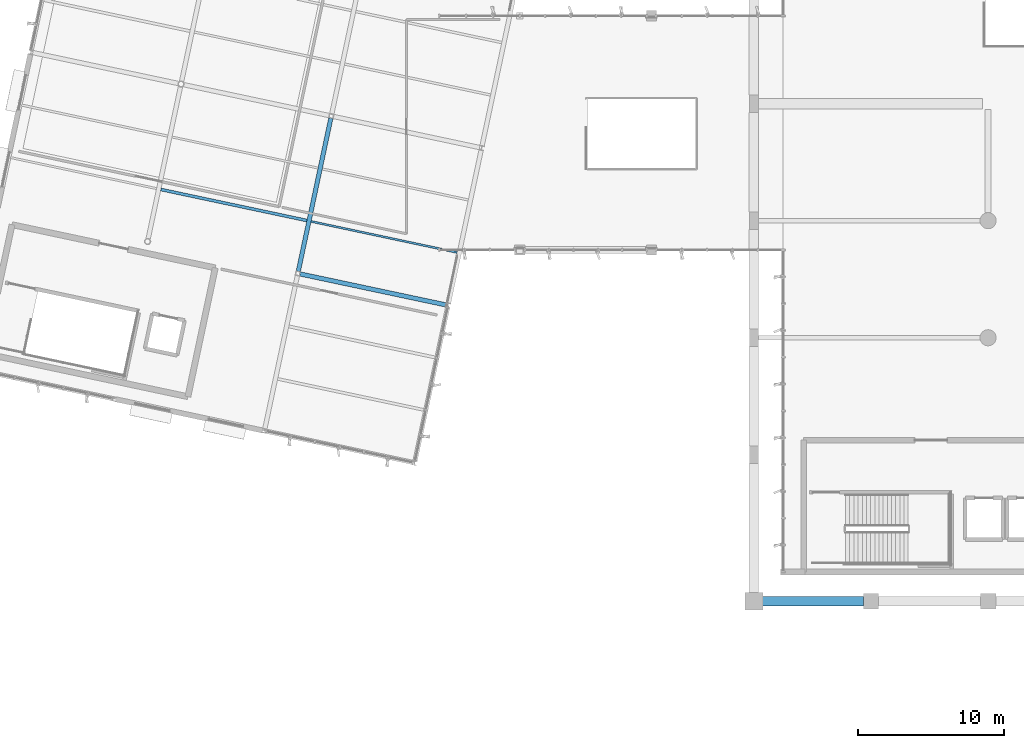
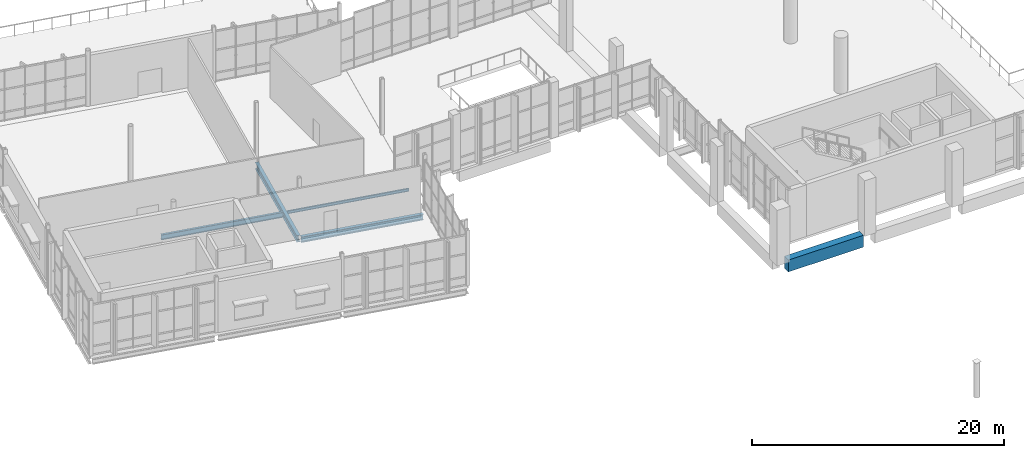
# One storey, part 25 of 176: 5 beams.
"""IFC4 building model written with IfcOpenShell, lengths in metres."""

from ifc_helpers import new_model, si_unit, direction, frame, origin, origin_2d, place, context, subcontext, project, spatial, rectangle, i_section, extrude, material, material_profile, profile_set, type_object, element, save


model = new_model("IFC4")

# Units and contexts
model_context = context("Model", 3, precision=1e-05, world=origin(), true_north=direction((0.0, 1.0)))
body_context = subcontext(model_context, "Body", "Model", "MODEL_VIEW")
ifc_project = project(units=[si_unit("LENGTHUNIT", "METRE"), si_unit("AREAUNIT", "SQUARE_METRE"), si_unit("VOLUMEUNIT", "CUBIC_METRE"), si_unit("PLANEANGLEUNIT", "RADIAN"), si_unit("MASSUNIT", "GRAM", prefix="KILO")], contexts=[model_context])

# Site, building, storey
site_placement = place(None, origin())
site = spatial("IfcSite", under=ifc_project, at=site_placement, CompositionType="ELEMENT")
building_placement = place(site_placement, origin())
building = spatial("IfcBuilding", under=site, at=building_placement, Name="Khorjan Park Terminus", CompositionType="ELEMENT")
storey_placement = place(building_placement, frame((0.0, 0.0, 6.0)))
storey = spatial("IfcBuildingStorey", under=building, at=storey_placement, Name="L01", CompositionType="ELEMENT", Elevation=6.0)

# Beams
ifc_material_1 = material(Name="Steel S355", Category="steel")
ifc_material_profile_1 = material_profile(ifc_material_1, i_section(OverallWidth=0.3, OverallDepth=0.64, WebThickness=0.0135, FlangeThickness=0.026, FilletRadius=0.027, at=origin_2d()), Name="HEA 650")
ifc_profile_set_1 = profile_set([ifc_material_profile_1], Name="Steel S355")
beam_type_1 = type_object("IfcBeamType", Name="BM-HEA650", PredefinedType="BEAM", material=ifc_profile_set_1)
beam_1_placement = place(storey_placement, frame((16.8583, 48.5353, -0.68), z_axis=(0.207907890532, 0.978148408502, 0.0), x_axis=(-0.978148408502, 0.207907890532, 0.0)))
element("IfcBeam", 1, at=beam_1_placement, inside=storey, type_object=beam_type_1, Name="Primary skew-grid floor girder SB-A65 (L01)", PredefinedType="BEAM", context=body_context, shape_type="SweptSolid", body=[
    extrude(i_section(OverallWidth=0.3, OverallDepth=0.64, WebThickness=0.0135, FlangeThickness=0.026, FilletRadius=0.027, at=origin_2d()), origin(), (0.0, 0.0, 1.0), 10.71),
])
ifc_material_profile_2 = material_profile(ifc_material_1, i_section(OverallWidth=0.3, OverallDepth=0.55, WebThickness=0.015, FlangeThickness=0.029, FilletRadius=0.027, at=origin_2d()), Name="HEB 550")
ifc_profile_set_2 = profile_set([ifc_material_profile_2], Name="Steel S355")
beam_type_2 = type_object("IfcBeamType", Name="BM-HEB550", PredefinedType="BEAM", material=ifc_profile_set_2)
beam_2_placement = place(storey_placement, frame((16.97, 48.3633, -0.635), z_axis=(0.978148793254, -0.20790608037, 0.0), x_axis=(0.20790608037, 0.978148793254, 0.0)))
element("IfcBeam", 2, at=beam_2_placement, inside=storey, type_object=beam_type_2, Name="Primary skew-grid floor girder SB-B55 (L01)", PredefinedType="BEAM", context=body_context, shape_type="SweptSolid", body=[
    extrude(i_section(OverallWidth=0.3, OverallDepth=0.55, WebThickness=0.015, FlangeThickness=0.029, FilletRadius=0.027, at=origin_2d()), origin(), (0.0, 0.0, 1.0), 10.2099),
])
ifc_material_profile_3 = material_profile(ifc_material_1, i_section(OverallWidth=0.135, OverallDepth=0.27, WebThickness=0.0066, FlangeThickness=0.0102, FilletRadius=0.015, at=origin_2d()), Name="IPE 270")
ifc_profile_set_3 = profile_set([ifc_material_profile_3], Name="Steel S355")
beam_type_3 = type_object("IfcBeamType", Name="JS-IPE270", PredefinedType="JOIST", material=ifc_profile_set_3)
beam_3_placement = place(storey_placement, frame((17.7372, 51.9489, -0.495), z_axis=(0.978147562282, -0.207911871719, 0.0), x_axis=(0.207911871719, 0.978147562282, 0.0)))
element("IfcBeam", 3, at=beam_3_placement, inside=storey, type_object=beam_type_3, Name="Secondary composite floor joist SJ-27 (L01)", PredefinedType="JOIST", context=body_context, shape_type="SweptSolid", body=[
    extrude(i_section(OverallWidth=0.135, OverallDepth=0.27, WebThickness=0.0066, FlangeThickness=0.0102, FilletRadius=0.015, at=origin_2d()), origin(), (0.0, 0.0, 1.0), 10.2),
])
ifc_material_profile_4 = material_profile(ifc_material_1, i_section(OverallWidth=0.2, OverallDepth=0.5, WebThickness=0.0102, FlangeThickness=0.016, FilletRadius=0.021, at=origin_2d()), Name="IPE 500")
ifc_profile_set_4 = profile_set([ifc_material_profile_4], Name="Steel S355")
beam_type_4 = type_object("IfcBeamType", Name="JS-IPE500", PredefinedType="JOIST", material=ifc_profile_set_4)
beam_4_placement = place(storey_placement, frame((7.4667, 54.1319, -0.61), z_axis=(0.978147562282, -0.207911871719, 0.0), x_axis=(0.207911871719, 0.978147562282, 0.0)))
element("IfcBeam", 4, at=beam_4_placement, inside=storey, type_object=beam_type_4, Name="Secondary composite floor joist SJ-50 (L01)", PredefinedType="JOIST", context=body_context, shape_type="SweptSolid", body=[
    extrude(i_section(OverallWidth=0.2, OverallDepth=0.5, WebThickness=0.0102, FlangeThickness=0.016, FilletRadius=0.021, at=origin_2d()), origin(), (0.0, 0.0, 1.0), 10.2),
])
ifc_material_2 = material(Name="Concrete C50/60", Category="concrete")
ifc_material_profile_5 = material_profile(ifc_material_2, rectangle(XDim=0.65, YDim=1.15, at=origin_2d()), Name="RC 650x1150")
ifc_profile_set_5 = profile_set([ifc_material_profile_5], Name="Concrete C50/60")
beam_type_5 = type_object("IfcBeamType", Name="SP-RC650x1150", PredefinedType="SPANDREL", material=ifc_profile_set_5)
beam_5_placement = place(storey_placement, frame((48.595, 26.0, -0.575), z_axis=(1.0, 0.0, 0.0), x_axis=(0.0, 1.0, 0.0)))
element("IfcBeam", 5, at=beam_5_placement, inside=storey, type_object=beam_type_5, Name="Concourse lower colonnade ring beam SP-11 (L01-1)", PredefinedType="SPANDREL", context=body_context, shape_type="SweptSolid", body=[
    extrude(rectangle(XDim=0.65, YDim=1.15, at=origin_2d()), origin(), (0.0, 0.0, 1.0), 6.885),
])

save(model, "model.ifc")
